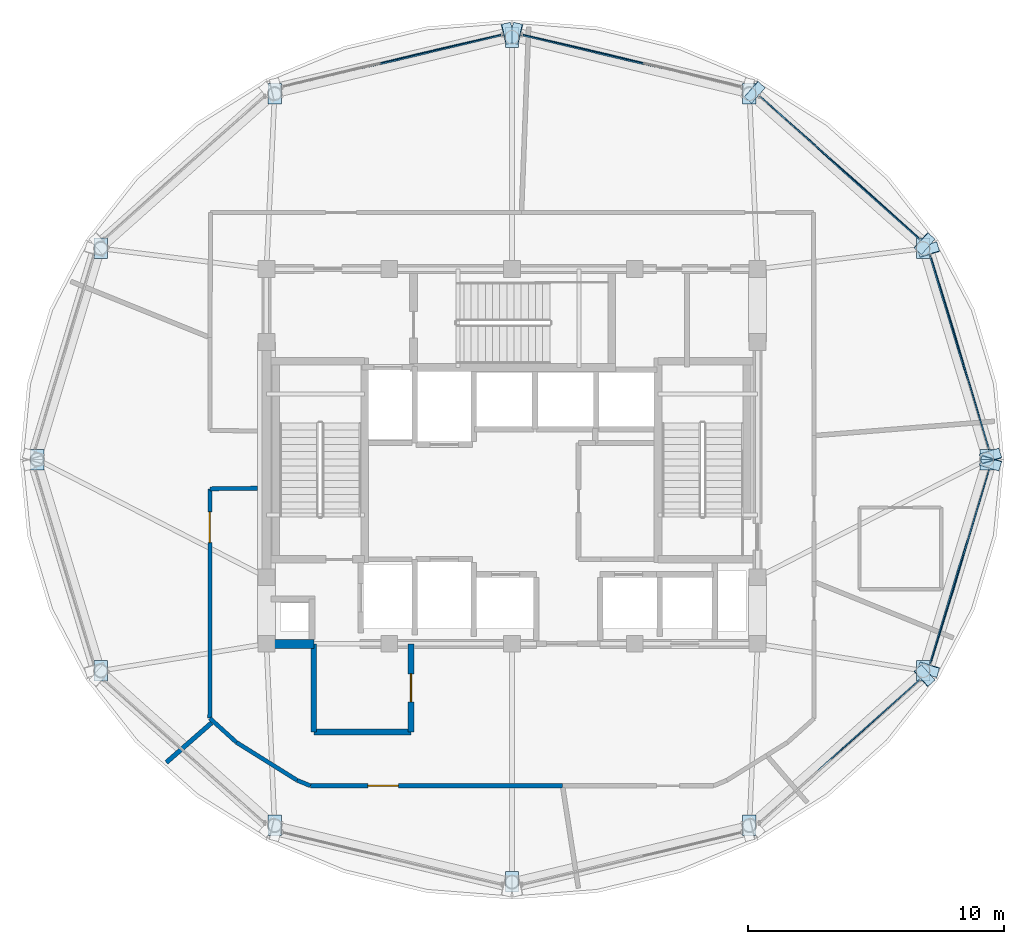
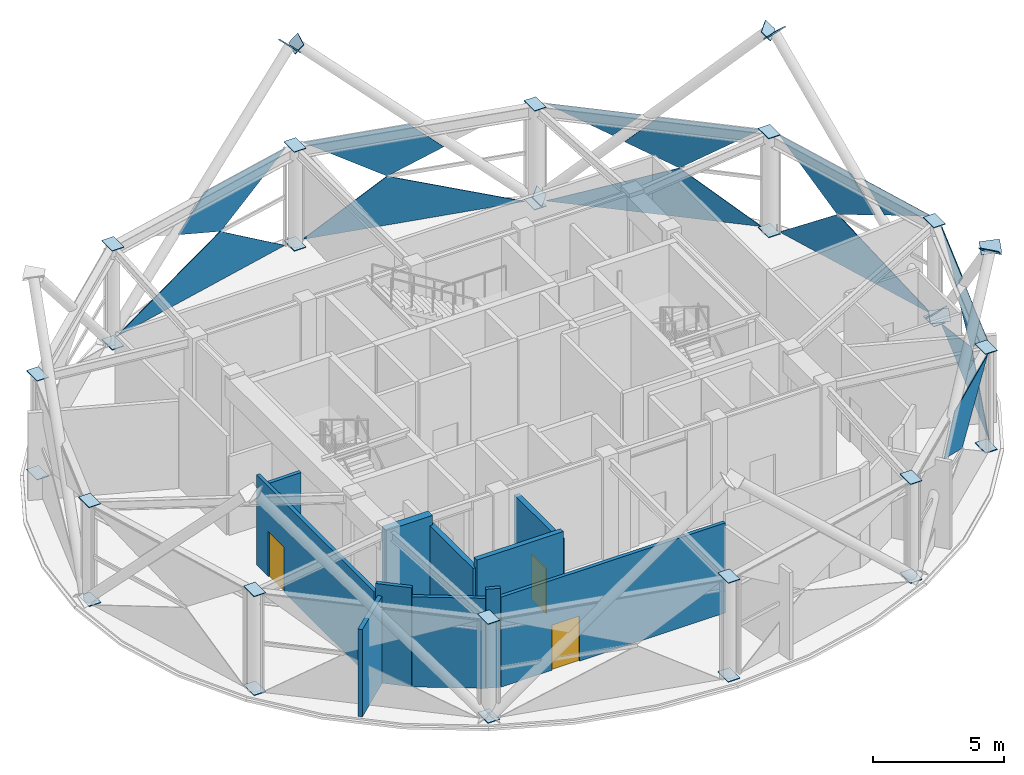
# One storey, part 20 of 27: 47 plates, 11 walls, 3 doors, 3 openings, 6 elements without a shape of their own.
"""IFC4 building model written with IfcOpenShell, lengths in metres."""

from ifc_helpers import new_model, si_unit, direction, frame, frame_2d, origin, place, context, subcontext, project, spatial, polyline, rectangle, outline, extrude, material, layer, layer_set, type_object, element, fill, aggregate, save


model = new_model("IFC4")

# Units and contexts
model_context = context("Model", 3, precision=1e-05, world=origin(), true_north=direction((0.0, 1.0)))
body_context = subcontext(model_context, "Body", "Model", "MODEL_VIEW")
ifc_project = project(units=[si_unit("LENGTHUNIT", "METRE"), si_unit("AREAUNIT", "SQUARE_METRE"), si_unit("VOLUMEUNIT", "CUBIC_METRE"), si_unit("PLANEANGLEUNIT", "RADIAN"), si_unit("MASSUNIT", "GRAM", prefix="KILO")], contexts=[model_context])

# Site, building, storey
site_placement = place(None, origin())
site = spatial("IfcSite", under=ifc_project, at=site_placement, CompositionType="ELEMENT")
building_placement = place(site_placement, origin())
building = spatial("IfcBuilding", under=site, at=building_placement, Name="Vantalir Tower", CompositionType="ELEMENT")
storey_placement = place(building_placement, frame((0.0, 0.0, 290.10009765625)))
storey = spatial("IfcBuildingStorey", under=building, at=storey_placement, Name="L73", CompositionType="ELEMENT", Elevation=290.10009765625)

# Curtain wall, plates
ifc_material_1 = material(Name="Champagne-silver PVDF aluminium and double-silver Low-E glass", Category="aluminium")
ifc_layer_1 = layer(ifc_material_1, 0.219970703125)
ifc_layer_set_1 = layer_set([ifc_layer_1], Name="Champagne-silver PVDF aluminium and double-silver Low-E glass")
curtain_wall_type = type_object("IfcCurtainWallType", Name="CW-DIAMOND-Z4", PredefinedType="USERDEFINED", material=ifc_layer_set_1)
curtain_wall_1_placement = place(storey_placement, origin())
curtain_wall_1 = element("IfcCurtainWall", 1, at=curtain_wall_1_placement, inside=storey, type_object=curtain_wall_type, Name="L73 Quilted Pyramid-Diamond Curtain Wall S01", ObjectType="UNITISED CURTAIN WALL", PredefinedType="USERDEFINED")
ifc_material_2 = material(Name="Double-silver Low-E acoustic glass IGU", Category="glass")
ifc_layer_2 = layer(ifc_material_2, 0.031982421875)
ifc_layer_set_2 = layer_set([ifc_layer_2], Name="Double-silver Low-E acoustic glass IGU")
plate_type_1 = type_object("IfcPlateType", Name="CWP-IGU-32", PredefinedType="CURTAIN_PANEL", material=ifc_layer_set_2)
plate_1_placement = place(storey_placement, frame((50.133544921875, 25.3876953125, 0.047607421875), z_axis=(-0.957550965706, -0.288067963096, 0.010629991259), x_axis=(-0.288083925546, 0.957605164402, 3.0860624e-05)))
plate_1 = element("IfcPlate", 2, at=plate_1_placement, type_object=plate_type_1, Name="CW-L73-S01 Pyramid Diamond Facet 1L", PredefinedType="CURTAIN_PANEL", context=body_context, shape_type="SweptSolid", body=[
    extrude(outline(polyline([(0.0, 0.0), (7.911072199030909, -2.710505431213761e-18), (4.90243469177774, -2.248510905887778), (0.0, 0.0)])), origin(), (0.0, 0.0, -1.0), 0.031982421875),
])
plate_2_placement = place(storey_placement, frame((48.9384765625, 29.35986328125, 4.572021484375), z_axis=(0.95755535598, 0.288052140713, 0.010663229553), x_axis=(-0.288067854722, 0.957609997263, -6.4943289e-05)))
plate_2 = element("IfcPlate", 3, at=plate_2_placement, type_object=plate_type_1, Name="CW-L73-S01 Pyramid Diamond Facet 2U", PredefinedType="CURTAIN_PANEL", context=body_context, shape_type="SweptSolid", body=[
    extrude(outline(polyline([(0.0, 0.0), (3.763023657107501, -2.168404344971009e-19), (0.7544631681964478, -2.248369851525785), (-1.2511321029326385, -1.3285261703942526), (0.0, 0.0)])), origin(), (0.0, 0.0, -1.0), 0.031982421875),
])
plate_3_placement = place(storey_placement, frame((50.16796875, 25.39794921875, 4.57275390625), z_axis=(0.95755315699, 0.288061080636, 0.010619103559), x_axis=(-0.288076614307, 0.957607361831, -6.9684716e-05)))
plate_3 = element("IfcPlate", 4, at=plate_3_placement, type_object=plate_type_1, Name="CW-L73-S01 Pyramid Diamond Facet 2U Infill Light", PredefinedType="CURTAIN_PANEL", context=body_context, shape_type="SweptSolid", body=[
    extrude(outline(polyline([(0.0, 0.0), (3.503503212772278, 2.032879073410321e-18), (2.446548992301773, -1.1222072436150958), (0.0, 0.0)])), origin(), (0.0, 0.0, -1.0), 0.031982421875),
])
aggregate(curtain_wall_1, [plate_1, plate_2, plate_3])

curtain_wall_2_placement = place(storey_placement, origin())
curtain_wall_2 = element("IfcCurtainWall", 5, at=curtain_wall_2_placement, inside=storey, type_object=curtain_wall_type, Name="L73 Quilted Pyramid-Diamond Curtain Wall S02", ObjectType="UNITISED CURTAIN WALL", PredefinedType="USERDEFINED")
plate_4_placement = place(storey_placement, frame((47.435791015625, 33.6201171875, 0.0478515625), z_axis=(-0.665097822152, -0.746683093934, 0.010451995089), x_axis=(-0.74672428644, 0.665133698325, -5.8258185e-05)))
plate_4 = element("IfcPlate", 6, at=plate_4_placement, type_object=plate_type_1, Name="CW-L73-S02 Pyramid Diamond Facet 1L", PredefinedType="CURTAIN_PANEL", context=body_context, shape_type="SweptSolid", body=[
    extrude(outline(polyline([(0.0, 0.0), (8.381333024156369, -2.710505431213761e-19), (3.18337932494019, -2.24859930391494), (0.0, 0.0)])), origin(), (0.0, 0.0, -1.0), 0.031982421875),
])
plate_5_placement = place(storey_placement, frame((47.435791015625, 33.6201171875, 4.572021484375), z_axis=(0.665118034212, 0.746665585462, 0.010416527803), x_axis=(-0.746706518922, 0.665153644555, 6.1111021e-05)))
plate_5 = element("IfcPlate", 7, at=plate_5_placement, type_object=plate_type_1, Name="CW-L73-S02 Pyramid Diamond Facet 2U", PredefinedType="CURTAIN_PANEL", context=body_context, shape_type="SweptSolid", body=[
    extrude(outline(polyline([(0.0, 0.0), (3.9963834774926106, 1.4907779871675686e-18), (5.313509063646462, -1.3273010240409366), (3.183373522134195, -2.248851625271841), (0.0, 0.0)])), origin(), (0.0, 0.0, -1.0), 0.031982421875),
])
plate_6_placement = place(storey_placement, frame((43.981201171875, 36.745361328125, 4.57275390625), z_axis=(0.66510396818, 0.74667641582, 0.010537626388), x_axis=(-0.746717875334, 0.66514089835, 0.0)))
plate_6 = element("IfcPlate", 8, at=plate_6_placement, type_object=plate_type_1, Name="CW-L73-S02 Pyramid Diamond Facet 2U Infill Light", PredefinedType="CURTAIN_PANEL", context=body_context, shape_type="SweptSolid", body=[
    extrude(outline(polyline([(0.0, 0.0), (3.7229981880818857, 3.469446951953614e-18), (1.1182884646586844, -1.1267715453524179), (0.0, 0.0)])), origin(), (0.0, 0.0, -1.0), 0.031982421875),
])
aggregate(curtain_wall_2, [plate_4, plate_5, plate_6])

curtain_wall_3_placement = place(storey_placement, origin())
curtain_wall_3 = element("IfcCurtainWall", 9, at=curtain_wall_3_placement, inside=storey, type_object=curtain_wall_type, Name="L73 Quilted Pyramid-Diamond Curtain Wall S03", ObjectType="UNITISED CURTAIN WALL", PredefinedType="USERDEFINED")
plate_7_placement = place(storey_placement, frame((40.481201171875, 39.55810546875, 0.04736328125), z_axis=(-0.23218929315, -0.972613638848, 0.010528137241), x_axis=(-0.972667478413, 0.232202445449, 2.7653024e-05)))
plate_7 = element("IfcPlate", 10, at=plate_7_placement, type_object=plate_type_1, Name="CW-L73-S03 Pyramid Diamond Facet 1L", PredefinedType="CURTAIN_PANEL", context=body_context, shape_type="SweptSolid", body=[
    extrude(outline(polyline([(0.0, 0.0), (8.828713341747163, 4.743384504624082e-18), (5.47126407180125, -2.248996786099446), (0.0, 0.0)])), origin(), (0.0, 0.0, -1.0), 0.031982421875),
])
plate_8_placement = place(storey_placement, frame((35.997314453125, 40.62841796875, 4.572265625), z_axis=(0.232218164757, 0.972606327074, 0.010566763575), x_axis=(-0.972660630608, 0.232231129838, 3.2851e-08)))
plate_8 = element("IfcPlate", 11, at=plate_8_placement, type_object=plate_type_1, Name="CW-L73-S03 Pyramid Diamond Facet 2U", PredefinedType="CURTAIN_PANEL", context=body_context, shape_type="SweptSolid", body=[
    extrude(outline(polyline([(0.0, 0.0), (4.218853369944845, -1.734723475976807e-18), (0.8613425390198435, -2.248904881091072), (-1.3811872505644813, -1.3269781978430766), (0.0, 0.0)])), origin(), (0.0, 0.0, -1.0), 0.031982421875),
])
aggregate(curtain_wall_3, [plate_7, plate_8])

curtain_wall_4_placement = place(storey_placement, origin())
curtain_wall_4 = element("IfcCurtainWall", 12, at=curtain_wall_4_placement, inside=storey, type_object=curtain_wall_type, Name="L73 Quilted Pyramid-Diamond Curtain Wall S04", ObjectType="UNITISED CURTAIN WALL", PredefinedType="USERDEFINED")
plate_9_placement = place(storey_placement, frame((31.106201171875, 41.608154296875, 0.047607421875), z_axis=(0.23218929315, -0.972613638848, 0.010528137241), x_axis=(-0.972667478413, -0.232202445449, -2.7653024e-05)))
plate_9 = element("IfcPlate", 13, at=plate_9_placement, type_object=plate_type_1, Name="CW-L73-S04 Pyramid Diamond Facet 1L", PredefinedType="CURTAIN_PANEL", context=body_context, shape_type="SweptSolid", body=[
    extrude(outline(polyline([(0.0, 0.0), (8.828713341747163, -4.743384504624082e-18), (3.3574492699459113, -2.248996786099446), (0.0, 0.0)])), origin(), (0.0, 0.0, -1.0), 0.031982421875),
])
plate_10_placement = place(storey_placement, frame((31.106201171875, 41.608154296875, 4.572265625), z_axis=(-0.232218164757, 0.972606327074, 0.010566763575), x_axis=(-0.972660630608, -0.232231129838, -3.2851e-08)))
plate_10 = element("IfcPlate", 14, at=plate_10_placement, type_object=plate_type_1, Name="CW-L73-S04 Pyramid Diamond Facet 2U", PredefinedType="CURTAIN_PANEL", context=body_context, shape_type="SweptSolid", body=[
    extrude(outline(polyline([(0.0, 0.0), (4.218853369944845, 1.734723475976807e-18), (5.600040620509325, -1.3269781978430766), (3.3575108309250017, -2.248904881091072), (0.0, 0.0)])), origin(), (0.0, 0.0, -1.0), 0.031982421875),
])
aggregate(curtain_wall_4, [plate_9, plate_10])

# Curtain wall, plate
curtain_wall_5_placement = place(storey_placement, origin())
curtain_wall_5 = element("IfcCurtainWall", 15, at=curtain_wall_5_placement, inside=storey, type_object=curtain_wall_type, Name="L73 Quilted Pyramid-Diamond Curtain Wall S11", ObjectType="UNITISED CURTAIN WALL", PredefinedType="USERDEFINED")
plate_11_placement = place(storey_placement, frame((44.45166015625, 13.7216796875, 4.572265625), z_axis=(0.665118034212, -0.746665585462, 0.010416527803), x_axis=(0.746706518922, 0.665153644555, -6.1111021e-05)))
plate_11 = element("IfcPlate", 16, at=plate_11_placement, type_object=plate_type_1, Name="CW-L73-S11 Pyramid Diamond Facet 2U", PredefinedType="CURTAIN_PANEL", context=body_context, shape_type="SweptSolid", body=[
    extrude(outline(polyline([(0.0, 0.0), (3.9963834774926106, -1.4907779871675686e-18), (0.8130099553584159, -2.248851625271841), (-1.317125586153852, -1.3273010240409366), (0.0, 0.0)])), origin(), (0.0, 0.0, -1.0), 0.031982421875),
])
aggregate(curtain_wall_5, [plate_11])

# Curtain wall, plates
curtain_wall_6_placement = place(storey_placement, origin())
curtain_wall_6 = element("IfcCurtainWall", 17, at=curtain_wall_6_placement, inside=storey, type_object=curtain_wall_type, Name="L73 Quilted Pyramid-Diamond Curtain Wall S12", ObjectType="UNITISED CURTAIN WALL", PredefinedType="USERDEFINED")
plate_12_placement = place(storey_placement, frame((47.8544921875, 17.03662109375, 0.0478515625), z_axis=(-0.957550965706, 0.288067963096, 0.010629991259), x_axis=(0.288083925546, 0.957605164402, -3.0860624e-05)))
plate_12 = element("IfcPlate", 18, at=plate_12_placement, type_object=plate_type_1, Name="CW-L73-S12 Pyramid Diamond Facet 1L", PredefinedType="CURTAIN_PANEL", context=body_context, shape_type="SweptSolid", body=[
    extrude(outline(polyline([(0.0, 0.0), (7.911072199030909, 2.710505431213761e-18), (3.008637507253169, -2.248510905887778), (0.0, 0.0)])), origin(), (0.0, 0.0, -1.0), 0.031982421875),
])
plate_13_placement = place(storey_placement, frame((47.8544921875, 17.03662109375, 4.57177734375), z_axis=(0.95755535598, -0.288052140713, 0.010663229553), x_axis=(0.288067854722, 0.957609997263, 6.4943289e-05)))
plate_13 = element("IfcPlate", 19, at=plate_13_placement, type_object=plate_type_1, Name="CW-L73-S12 Pyramid Diamond Facet 2U", PredefinedType="CURTAIN_PANEL", context=body_context, shape_type="SweptSolid", body=[
    extrude(outline(polyline([(0.0, 0.0), (3.763023657107501, 2.168404344971009e-19), (5.014155760040139, -1.3285261703942524), (3.0085604889110527, -2.248369851525785), (0.0, 0.0)])), origin(), (0.0, 0.0, -1.0), 0.031982421875),
])
plate_14_placement = place(storey_placement, frame((49.15869140625, 21.2470703125, 4.572509765625), z_axis=(0.95755315699, -0.288061080636, 0.010619103559), x_axis=(0.288076614307, 0.957607361831, 6.9684716e-05)))
plate_14 = element("IfcPlate", 20, at=plate_14_placement, type_object=plate_type_1, Name="CW-L73-S12 Pyramid Diamond Facet 2U Infill Light", PredefinedType="CURTAIN_PANEL", context=body_context, shape_type="SweptSolid", body=[
    extrude(outline(polyline([(0.0, 0.0), (3.503503212772278, -2.032879073410321e-18), (1.0569542204705047, -1.1222072436150958), (0.0, 0.0)])), origin(), (0.0, 0.0, -1.0), 0.031982421875),
])
aggregate(curtain_wall_6, [plate_12, plate_13, plate_14])

# Plates
ifc_material_3 = material(Name="Steel S460", Category="steel")
ifc_layer_3 = layer(ifc_material_3, 0.031982421875)
ifc_layer_set_3 = layer_set([ifc_layer_3], Name="Steel S460")
plate_type_2 = type_object("IfcPlateType", Name="PLT-KN-Z3", PredefinedType="USERDEFINED", material=ifc_layer_set_3)
for number, where, z_axis, x_axis, name in (
    (21, (49.800048828125, 25.39990234375, 4.643798828125), (0.0, 0.0, 1.0), (0.0, -1.0, 0.0), "L73 Ring Column Top Cap RC01"),
    (22, (49.800048828125, 25.39990234375, 0.052978515625), (0.0, 0.0, 1.0), (0.0, -1.0, 0.0), "L73 Ring Column Base Cap RC01"),
):
    element("IfcPlate", number, at=place(storey_placement, frame(where, z_axis=z_axis, x_axis=x_axis)), inside=storey, type_object=plate_type_2, Name=name, ObjectType="FLANGE_PLATE", PredefinedType="USERDEFINED", context=body_context, shape_type="SweptSolid", body=[
        extrude(outline(polyline([(0.0, 0.0), (0.7998046875, 0.0), (0.7998046875, 0.52001953125), (0.0, 0.52001953125), (0.0, 0.0)])), origin(), (0.0, 0.0, -1.0), 0.031982421875),
    ])
for number, where, z_axis, x_axis, name in (
    (23, (47.31298828125, 33.656005859375, 4.643798828125), (0.0, 0.0, 1.0), (0.0, -1.0, 0.0), "L73 Ring Column Top Cap RC02"),
    (24, (47.31298828125, 33.656005859375, 0.052978515625), (0.0, 0.0, 1.0), (0.0, -1.0, 0.0), "L73 Ring Column Base Cap RC02"),
    (25, (40.52001953125, 39.699951171875, 4.643798828125), (0.0, 0.0, 1.0), (0.0, -1.0, 0.0), "L73 Ring Column Top Cap RC03"),
    (26, (40.52001953125, 39.699951171875, 0.052978515625), (0.0, 0.0, 1.0), (0.0, -1.0, 0.0), "L73 Ring Column Base Cap RC03"),
    (27, (31.239990234375, 41.912109375, 4.643798828125), (0.0, 0.0, 1.0), (0.0, -1.0, 0.0), "L73 Ring Column Top Cap RC04"),
    (28, (31.239990234375, 41.912109375, 0.052978515625), (0.0, 0.0, 1.0), (0.0, -1.0, 0.0), "L73 Ring Column Base Cap RC04"),
    (29, (21.9599609375, 39.699951171875, 4.643798828125), (0.0, 0.0, 1.0), (0.0, -1.0, 0.0), "L73 Ring Column Top Cap RC05"),
    (30, (21.9599609375, 39.699951171875, 0.052978515625), (0.0, 0.0, 1.0), (0.0, -1.0, 0.0), "L73 Ring Column Base Cap RC05"),
    (31, (15.1669921875, 33.656005859375, 4.643798828125), (0.0, 0.0, 1.0), (0.0, -1.0, 0.0), "L73 Ring Column Top Cap RC06"),
    (32, (15.1669921875, 33.656005859375, 0.052978515625), (0.0, 0.0, 1.0), (0.0, -1.0, 0.0), "L73 Ring Column Base Cap RC06"),
):
    element("IfcPlate", number, at=place(storey_placement, frame(where, z_axis=z_axis, x_axis=x_axis)), inside=storey, type_object=plate_type_2, Name=name, ObjectType="FLANGE_PLATE", PredefinedType="USERDEFINED", context=body_context, shape_type="SweptSolid", body=[
        extrude(outline(polyline([(0.0, 0.0), (0.800048828125, 0.0), (0.800048828125, 0.52001953125), (0.0, 0.52001953125), (0.0, 0.0)])), origin(), (0.0, 0.0, -1.0), 0.031982421875),
    ])
for number, where, z_axis, x_axis, name in (
    (33, (12.679931640625, 25.39990234375, 4.643798828125), (0.0, 0.0, 1.0), (0.0, -1.0, 0.0), "L73 Ring Column Top Cap RC07"),
    (34, (12.679931640625, 25.39990234375, 0.052978515625), (0.0, 0.0, 1.0), (0.0, -1.0, 0.0), "L73 Ring Column Base Cap RC07"),
):
    element("IfcPlate", number, at=place(storey_placement, frame(where, z_axis=z_axis, x_axis=x_axis)), inside=storey, type_object=plate_type_2, Name=name, ObjectType="FLANGE_PLATE", PredefinedType="USERDEFINED", context=body_context, shape_type="SweptSolid", body=[
        extrude(outline(polyline([(0.0, 0.0), (0.7998046875, 0.0), (0.7998046875, 0.52001953125), (0.0, 0.52001953125), (0.0, 0.0)])), origin(), (0.0, 0.0, -1.0), 0.031982421875),
    ])
for number, where, z_axis, x_axis, name in (
    (35, (15.1669921875, 17.14404296875, 4.643798828125), (0.0, 0.0, 1.0), (0.0, -1.0, 0.0), "L73 Ring Column Top Cap RC08"),
    (36, (15.1669921875, 17.14404296875, 0.052978515625), (0.0, 0.0, 1.0), (0.0, -1.0, 0.0), "L73 Ring Column Base Cap RC08"),
    (37, (21.9599609375, 11.10009765625, 4.643798828125), (0.0, 0.0, 1.0), (0.0, -1.0, 0.0), "L73 Ring Column Top Cap RC09"),
    (38, (21.9599609375, 11.10009765625, 0.052978515625), (0.0, 0.0, 1.0), (0.0, -1.0, 0.0), "L73 Ring Column Base Cap RC09"),
    (39, (31.239990234375, 8.887939453125, 4.643798828125), (0.0, 0.0, 1.0), (0.0, -1.0, 0.0), "L73 Ring Column Top Cap RC10"),
    (40, (31.239990234375, 8.887939453125, 0.052978515625), (0.0, 0.0, 1.0), (0.0, -1.0, 0.0), "L73 Ring Column Base Cap RC10"),
    (41, (40.52001953125, 11.10009765625, 4.643798828125), (0.0, 0.0, 1.0), (0.0, -1.0, 0.0), "L73 Ring Column Top Cap RC11"),
    (42, (40.52001953125, 11.10009765625, 0.052978515625), (0.0, 0.0, 1.0), (0.0, -1.0, 0.0), "L73 Ring Column Base Cap RC11"),
    (43, (47.31298828125, 17.14404296875, 4.643798828125), (0.0, 0.0, 1.0), (0.0, -1.0, 0.0), "L73 Ring Column Top Cap RC12"),
    (44, (47.31298828125, 17.14404296875, 0.052978515625), (0.0, 0.0, 1.0), (0.0, -1.0, 0.0), "L73 Ring Column Base Cap RC12"),
):
    element("IfcPlate", number, at=place(storey_placement, frame(where, z_axis=z_axis, x_axis=x_axis)), inside=storey, type_object=plate_type_2, Name=name, ObjectType="FLANGE_PLATE", PredefinedType="USERDEFINED", context=body_context, shape_type="SweptSolid", body=[
        extrude(outline(polyline([(0.0, 0.0), (0.800048828125, 0.0), (0.800048828125, 0.52001953125), (0.0, 0.52001953125), (0.0, 0.0)])), origin(), (0.0, 0.0, -1.0), 0.031982421875),
    ])
plate_15_placement = place(storey_placement, frame((50.533447265625, 25.446044921875, 0.067626953125), z_axis=(-0.197402538279, 0.656543895197, 0.727998867829), x_axis=(-0.957672011935, -0.287861619945, -7.2935221e-05)))
element("IfcPlate", 45, at=plate_15_placement, inside=storey, type_object=plate_type_2, Name="Node Cap Plate MEM-DG-L73-R01L Start", ObjectType="FLANGE_PLATE", PredefinedType="USERDEFINED", context=body_context, shape_type="SweptSolid", body=[
    extrude(outline(polyline([(0.0, 0.0), (0.7999580764304897, -2.7755575615628914e-17), (0.7997844023244071, 0.520004251386583), (-0.00024395282188941793, 0.5198340368997574), (0.0, 0.0)])), origin(), (0.0, 0.0, -1.0), 0.031982421875),
])
plate_16_placement = place(storey_placement, frame((48.105224609375, 33.518798828125, 9.01904296875), z_axis=(-0.197466142278, 0.656407578886, 0.728104534414), x_axis=(-0.957607633702, -0.288075718998, 0.0)))
element("IfcPlate", 46, at=plate_16_placement, inside=storey, type_object=plate_type_2, Name="Node Cap Plate MEM-DG-L73-R01L End", ObjectType="FLANGE_PLATE", PredefinedType="USERDEFINED", context=body_context, shape_type="SweptSolid", body=[
    extrude(outline(polyline([(0.0, 0.0), (0.8000283772680843, 0.0), (0.7999653475919969, 0.5200042827450746), (-6.302967608747711e-05, 0.5200042827450745), (0.0, 0.0)])), origin(), (0.0, 0.0, -1.0), 0.031982421875),
])
plate_17_placement = place(storey_placement, frame((49.767333984375, 24.7841796875, 0.067626953125), z_axis=(-0.197402538279, -0.656543895197, 0.727998867829), x_axis=(0.957672011935, -0.287861619945, 7.2935221e-05)))
element("IfcPlate", 47, at=plate_17_placement, inside=storey, type_object=plate_type_2, Name="Node Cap Plate MEM-DG-L73-R01R Start", ObjectType="FLANGE_PLATE", PredefinedType="USERDEFINED", context=body_context, shape_type="SweptSolid", body=[
    extrude(outline(polyline([(0.0, 0.0), (0.7999580764304897, 2.7755575615628914e-17), (0.800202029252379, 0.5198340368997574), (0.00017367410608255275, 0.520004251386583), (0.0, 0.0)])), origin(), (0.0, 0.0, -1.0), 0.031982421875),
])
plate_18_placement = place(storey_placement, frame((47.339111328125, 16.711669921875, 9.01904296875), z_axis=(-0.197466142278, -0.656407578886, 0.728104534414), x_axis=(0.957607633702, -0.288075718998, 0.0)))
element("IfcPlate", 48, at=plate_18_placement, inside=storey, type_object=plate_type_2, Name="Node Cap Plate MEM-DG-L73-R01R End", ObjectType="FLANGE_PLATE", PredefinedType="USERDEFINED", context=body_context, shape_type="SweptSolid", body=[
    extrude(outline(polyline([(0.0, 0.0), (0.8000283772680843, 0.0), (0.8000914069441717, 0.5200042827450745), (6.302967608747711e-05, 0.5200042827450745), (0.0, 0.0)])), origin(), (0.0, 0.0, -1.0), 0.031982421875),
])
plate_19_placement = place(storey_placement, frame((31.55517578125, 42.10009765625, 9.0166015625), z_axis=(-0.701464265601, 0.167497428968, 0.692742733902), x_axis=(-0.232253135063, -0.972655376407, 0.0)))
element("IfcPlate", 49, at=plate_19_placement, inside=storey, type_object=plate_type_2, Name="Node Cap Plate MEM-DG-L73-R07L End", ObjectType="FLANGE_PLATE", PredefinedType="USERDEFINED", context=body_context, shape_type="SweptSolid", body=[
    extrude(outline(polyline([(0.0, 0.0), (0.7999505176738269, 0.0), (0.8000329261924353, 0.5199776867324402), (8.240851860848164e-05, 0.5199776867324402), (0.0, 0.0)])), origin(), (0.0, 0.0, -1.0), 0.031982421875),
])
plate_20_placement = place(storey_placement, frame((40.86669921875, 38.935791015625, 0.05859375), z_axis=(0.526070977765, -0.468562196992, 0.709717404256), x_axis=(0.665068827954, 0.746782063817, 5.697464e-05)))
element("IfcPlate", 50, at=plate_20_placement, inside=storey, type_object=plate_type_2, Name="Node Cap Plate MEM-DG-L73-R07R Start", ObjectType="FLANGE_PLATE", PredefinedType="USERDEFINED", context=body_context, shape_type="SweptSolid", body=[
    extrude(outline(polyline([(0.0, 0.0), (0.7999415737964686, 0.0), (0.800040157332476, 0.5197620749719658), (-6.378678331716229e-05, 0.5198914770530302), (0.0, 0.0)])), origin(), (0.0, 0.0, -1.0), 0.031982421875),
])
plate_21_placement = place(storey_placement, frame((47.506591796875, 33.021484375, 9.017578125), z_axis=(0.526128710952, -0.468721123774, 0.709569649605), x_axis=(0.665196763169, 0.746668109851, 0.0)))
element("IfcPlate", 51, at=plate_21_placement, inside=storey, type_object=plate_type_2, Name="Node Cap Plate MEM-DG-L73-R07R End", ObjectType="FLANGE_PLATE", PredefinedType="USERDEFINED", context=body_context, shape_type="SweptSolid", body=[
    extrude(outline(polyline([(0.0, 0.0), (0.8001039571571018, 0.0), (0.7999560823480588, 0.5200634651434893), (-0.00014787480904299155, 0.5200634651434893), (0.0, 0.0)])), origin(), (0.0, 0.0, -1.0), 0.031982421875),
])
plate_22_placement = place(storey_placement, frame((31.630615234375, 41.322021484375, 9.0166015625), z_axis=(0.701464265601, 0.167497428968, 0.692742733902), x_axis=(-0.232253135063, 0.972655376407, 0.0)))
element("IfcPlate", 52, at=plate_22_placement, inside=storey, type_object=plate_type_2, Name="Node Cap Plate MEM-DG-L73-R13R End", ObjectType="FLANGE_PLATE", PredefinedType="USERDEFINED", context=body_context, shape_type="SweptSolid", body=[
    extrude(outline(polyline([(0.0, 0.0), (0.7999505176738269, 0.0), (0.7998681091552183, 0.5199776867324402), (-8.240851860848164e-05, 0.5199776867324402), (0.0, 0.0)])), origin(), (0.0, 0.0, -1.0), 0.031982421875),
])
plate_23_placement = place(storey_placement, frame((48.038818359375, 16.381103515625, 9.017578125), z_axis=(0.526128710952, 0.468721123774, 0.709569649605), x_axis=(-0.665196763169, 0.746668109851, 0.0)))
element("IfcPlate", 53, at=plate_23_placement, inside=storey, type_object=plate_type_2, Name="Node Cap Plate MEM-DG-L73-R31L End", ObjectType="FLANGE_PLATE", PredefinedType="USERDEFINED", context=body_context, shape_type="SweptSolid", body=[
    extrude(outline(polyline([(0.0, 0.0), (0.8001039571571018, 0.0), (0.8002518319661448, 0.5200634651434893), (0.00014787480904299155, 0.5200634651434893), (0.0, 0.0)])), origin(), (0.0, 0.0, -1.0), 0.031982421875),
])

# Wall
ifc_material_4 = material(Name="Concrete C50/60", Category="concrete")
ifc_layer_4 = layer(ifc_material_4, 0.35009765625)
ifc_layer_set_4 = layer_set([ifc_layer_4], Name="Concrete C50/60")
wall_type_1 = type_object("IfcWallType", Name="WL-CORE-350", PredefinedType="SHEAR", material=ifc_layer_set_4)
wall_1_placement = place(storey_placement, frame((21.72509765625, 17.800048828125, 0.0), z_axis=(0.0, 0.0, 1.0), x_axis=(1.0, 0.0, 0.0)))
element("IfcWall", 54, at=wall_1_placement, inside=storey, type_object=wall_type_1, Name="L73 Core Shear Wall South-West", PredefinedType="SHEAR", context=body_context, shape_type="SweptSolid", body=[
    extrude(rectangle(XDim=2.02490234375, YDim=0.35009765625, at=frame_2d((1.012451171875, 0.0))), origin(), (0.0, 0.0, 1.0), 4.619873046875),
])

# Wall, opening, door
ifc_material_5 = material(Name="Fire-rated hotel corridor acoustic partition", Category="gypsum")
ifc_layer_5 = layer(ifc_material_5, 0.159912109375)
ifc_layer_set_5 = layer_set([ifc_layer_5], Name="Fire-rated hotel corridor acoustic partition")
wall_type_2 = type_object("IfcWallType", Name="WL-CORR-160", PredefinedType="PARTITIONING", material=ifc_layer_set_5)
wall_2_placement = place(storey_placement, frame((33.47509765625, 12.25, 0.0), z_axis=(0.0, 0.0, 1.0), x_axis=(-1.0, 0.0, 0.0)))
wall_2 = element("IfcWall", 55, at=wall_2_placement, inside=storey, type_object=wall_type_2, Name="L73 Corridor Partition 14", PredefinedType="PARTITIONING", context=body_context, shape_type="SweptSolid", body=[
    extrude(rectangle(XDim=9.858154296875, YDim=0.159912109375, at=frame_2d((4.92919921875, 0.0))), origin(), (0.0, 0.0, 1.0), 4.181884765625),
])
opening_1_placement = place(wall_2_placement, frame((6.4140625, 0.0, 0.0)))
opening_1 = element("IfcOpeningElement", 56, at=opening_1_placement, cuts=wall_2, Name="Opening D-STE", PredefinedType="OPENING", context=body_context, shape_type="SweptSolid", body=[
    extrude(rectangle(XDim=1.199951171875, YDim=2.10009765625, at=frame_2d((0.60009765625, 1.050048828125))), frame((0.0, 0.08984375, 0.0), z_axis=(0.0, -1.0, 0.0), x_axis=(1.0, 0.0, 0.0)), (0.0, 0.0, 1.0), 0.179931640625),
])
ifc_material_6 = material(Name="Solid-core teak veneer suite entrance door", Category="wood")
door_type_1 = type_object("IfcDoorType", Name="DR-SUITE-ENTRY-1200", OperationType="NOTDEFINED", PredefinedType="DOOR", material=ifc_material_6)
door_1_placement = place(opening_1_placement, origin())
door_1 = element("IfcDoor", 57, at=door_1_placement, inside=storey, type_object=door_type_1, Name="L73 Sommelier Wine Cellar and Administration Door", OperationType="SINGLE_SWING_RIGHT", OverallHeight=2.10009765625, OverallWidth=1.199951171875, PredefinedType="DOOR", context=body_context, shape_type="SweptSolid", body=[
    extrude(rectangle(XDim=1.199951171875, YDim=2.10009765625, at=frame_2d((0.60009765625, 1.050048828125))), frame((0.0, 0.02490234375, 0.0), z_axis=(0.0, -1.0, 0.0), x_axis=(1.0, 0.0, 0.0)), (0.0, 0.0, 1.0), 0.050048828125),
])
fill(opening_1, door_1)

# Walls
wall_3_placement = place(storey_placement, frame((23.616943359375, 12.25, 0.0), z_axis=(0.0, 0.0, 1.0), x_axis=(-0.925247302977, 0.379364505897, 0.0)))
element("IfcWall", 58, at=wall_3_placement, inside=storey, type_object=wall_type_2, Name="L73 Corridor Partition 15", PredefinedType="PARTITIONING", context=body_context, shape_type="SweptSolid", body=[
    extrude(rectangle(XDim=0.55859375, YDim=0.159912109375, at=frame_2d((0.279296875, 0.0))), origin(), (0.0, 0.0, 1.0), 4.599853515625),
])
wall_4_placement = place(storey_placement, frame((23.10009765625, 12.4619140625, 0.0), z_axis=(0.0, 0.0, 1.0), x_axis=(-0.847900235057, 0.530155818029, 0.0)))
element("IfcWall", 59, at=wall_4_placement, inside=storey, type_object=wall_type_2, Name="L73 Corridor Partition 16", PredefinedType="PARTITIONING", context=body_context, shape_type="SweptSolid", body=[
    extrude(rectangle(XDim=2.797607421875, YDim=0.159912109375, at=frame_2d((1.39892578125, 0.0))), origin(), (0.0, 0.0, 1.0), 4.181884765625),
])
wall_5_placement = place(storey_placement, frame((20.72802734375, 13.945068359375, 0.0), z_axis=(0.0, 0.0, 1.0), x_axis=(-0.741116421507, 0.671376533528, 0.0)))
element("IfcWall", 60, at=wall_5_placement, inside=storey, type_object=wall_type_2, Name="L73 Corridor Partition 17", PredefinedType="PARTITIONING", context=body_context, shape_type="SweptSolid", body=[
    extrude(rectangle(XDim=1.4072265625, YDim=0.159912109375, at=frame_2d((0.70361328125, 0.0))), origin(), (0.0, 0.0, 1.0), 4.599853515625),
])

# Wall, opening, door
wall_6_placement = place(storey_placement, frame((19.68505859375, 14.889892578125, 0.0), z_axis=(0.0, 0.0, 1.0), x_axis=(0.000108893909, 0.999999994071, 0.0)))
wall_6 = element("IfcWall", 61, at=wall_6_placement, inside=storey, type_object=wall_type_2, Name="L73 Corridor Partition 18", PredefinedType="PARTITIONING", context=body_context, shape_type="SweptSolid", body=[
    extrude(rectangle(XDim=8.968017578125, YDim=0.159912109375, at=frame_2d((4.48388671875, 0.0))), origin(), (0.0, 0.0, 1.0), 4.181884765625),
])
opening_2_placement = place(wall_6_placement, frame((6.863037109375, 0.0, 0.0)))
opening_2 = element("IfcOpeningElement", 62, at=opening_2_placement, cuts=wall_6, Name="Opening D-STE", PredefinedType="OPENING", context=body_context, shape_type="SweptSolid", body=[
    extrude(rectangle(XDim=1.199951171875, YDim=2.10009765625, at=frame_2d((0.60009765625, 1.050048828125))), frame((0.0, 0.08984375, 0.0), z_axis=(0.0, -1.0, 0.0), x_axis=(1.0, 0.0, 0.0)), (0.0, 0.0, 1.0), 0.179931640625),
])
door_2_placement = place(opening_2_placement, origin())
door_2 = element("IfcDoor", 63, at=door_2_placement, inside=storey, type_object=door_type_1, Name="L73 Commercial Sky Finishing Kitchen Door", OperationType="SINGLE_SWING_LEFT", OverallHeight=2.10009765625, OverallWidth=1.199951171875, PredefinedType="DOOR", context=body_context, shape_type="SweptSolid", body=[
    extrude(rectangle(XDim=1.199951171875, YDim=2.10009765625, at=frame_2d((0.60009765625, 1.050048828125))), frame((0.0, 0.02490234375, 0.0), z_axis=(0.0, -1.0, 0.0), x_axis=(1.0, 0.0, 0.0)), (0.0, 0.0, 1.0), 0.050048828125),
])
fill(opening_2, door_2)

# Walls
wall_7_placement = place(storey_placement, frame((19.68603515625, 23.85791015625, 0.0), z_axis=(0.0, 0.0, 1.0), x_axis=(0.999915479981, 0.013001265106, 0.0)))
element("IfcWall", 64, at=wall_7_placement, inside=storey, type_object=wall_type_2, Name="L73 Corridor Partition 19", PredefinedType="PARTITIONING", context=body_context, shape_type="SweptSolid", body=[
    extrude(rectangle(XDim=1.859130859375, YDim=0.159912109375, at=frame_2d((0.9296875, 0.0))), origin(), (0.0, 0.0, 1.0), 3.64501953125),
])
ifc_material_7 = material(Name="Concrete blockwork with fireboard lining", Category="masonry")
ifc_layer_6 = layer(ifc_material_7, 0.219970703125)
ifc_layer_set_6 = layer_set([ifc_layer_6], Name="Concrete blockwork with fireboard lining")
wall_type_3 = type_object("IfcWallType", Name="WL-FFL-220", PredefinedType="PARTITIONING", material=ifc_layer_set_6)
wall_8_placement = place(storey_placement, frame((23.75, 14.35009765625, 0.0), z_axis=(0.0, 0.0, 1.0), x_axis=(0.0, 1.0, 0.0)))
element("IfcWall", 65, at=wall_8_placement, inside=storey, type_object=wall_type_3, Name="L73 Firefighting Lobby West Outer W", PredefinedType="PARTITIONING", context=body_context, shape_type="SweptSolid", body=[
    extrude(rectangle(XDim=3.449951171875, YDim=0.219970703125, at=frame_2d((1.72509765625, 0.0))), origin(), (0.0, 0.0, 1.0), 4.181884765625),
])
wall_9_placement = place(storey_placement, frame((23.75, 14.35009765625, 0.0), z_axis=(0.0, 0.0, 1.0), x_axis=(1.0, 0.0, 0.0)))
element("IfcWall", 66, at=wall_9_placement, inside=storey, type_object=wall_type_3, Name="L73 Firefighting Lobby West South Wall", PredefinedType="PARTITIONING", context=body_context, shape_type="SweptSolid", body=[
    extrude(rectangle(XDim=3.800048828125, YDim=0.219970703125, at=frame_2d((1.89990234375, 0.0))), origin(), (0.0, 0.0, 1.0), 4.599853515625),
])

# Wall, opening, door
wall_10_placement = place(storey_placement, frame((27.550048828125, 14.35009765625, 0.0), z_axis=(0.0, 0.0, 1.0), x_axis=(0.0, 1.0, 0.0)))
wall_10 = element("IfcWall", 67, at=wall_10_placement, inside=storey, type_object=wall_type_3, Name="L73 Firefighting Lobby West East Wall", PredefinedType="PARTITIONING", context=body_context, shape_type="SweptSolid", body=[
    extrude(rectangle(XDim=3.449951171875, YDim=0.219970703125, at=frame_2d((1.72509765625, 0.0))), origin(), (0.0, 0.0, 1.0), 4.181884765625),
])
opening_3_placement = place(wall_10_placement, frame((1.175048828125, 0.0, 0.0)))
opening_3 = element("IfcOpeningElement", 68, at=opening_3_placement, cuts=wall_10, Name="Opening D-FFL", PredefinedType="OPENING", context=body_context, shape_type="SweptSolid", body=[
    extrude(rectangle(XDim=1.10009765625, YDim=2.10009765625, at=frame_2d((0.550048828125, 1.050048828125))), frame((0.0, 0.119873046875, 0.0), z_axis=(0.0, -1.0, 0.0), x_axis=(1.0, 0.0, 0.0)), (0.0, 0.0, 1.0), 0.239990234375),
])
ifc_material_8 = material(Name="Fire-rated acoustic steel door", Category="steel")
door_type_2 = type_object("IfcDoorType", Name="DR-FIRE-LOBBY-1100", OperationType="NOTDEFINED", PredefinedType="DOOR", material=ifc_material_8)
door_3_placement = place(opening_3_placement, origin())
door_3 = element("IfcDoor", 69, at=door_3_placement, inside=storey, type_object=door_type_2, Name="L73 Firefighting Lobby West Access Door", OperationType="SINGLE_SWING_RIGHT", OverallHeight=2.10009765625, OverallWidth=1.10009765625, PredefinedType="DOOR", context=body_context, shape_type="SweptSolid", body=[
    extrude(rectangle(XDim=1.10009765625, YDim=2.10009765625, at=frame_2d((0.550048828125, 1.050048828125))), frame((0.0, 0.02490234375, 0.0), z_axis=(0.0, -1.0, 0.0), x_axis=(1.0, 0.0, 0.0)), (0.0, 0.0, 1.0), 0.050048828125),
])
fill(opening_3, door_3)

# Wall
ifc_material_9 = material(Name="Twin-stud acoustic fire-rated gypsum partition", Category="gypsum")
ifc_layer_7 = layer(ifc_material_9, 0.179931640625)
ifc_layer_set_7 = layer_set([ifc_layer_7], Name="Twin-stud acoustic fire-rated gypsum partition")
wall_type_4 = type_object("IfcWallType", Name="WL-GUEST-180", PredefinedType="PARTITIONING", material=ifc_layer_set_7)
wall_11_placement = place(storey_placement, frame((19.757080078125, 14.7109375, 0.0), z_axis=(0.0, 0.0, 1.0), x_axis=(-0.752126417727, -0.659018855389, 0.0)))
element("IfcWall", 70, at=wall_11_placement, inside=storey, type_object=wall_type_4, Name="L73 Radial Suite Partition 04", PredefinedType="PARTITIONING", context=body_context, shape_type="SweptSolid", body=[
    extrude(rectangle(XDim=2.35205078125, YDim=0.179931640625, at=frame_2d((1.176025390625, 0.0))), origin(), (0.0, 0.0, 1.0), 4.052978515625),
])

save(model, "model.ifc")
